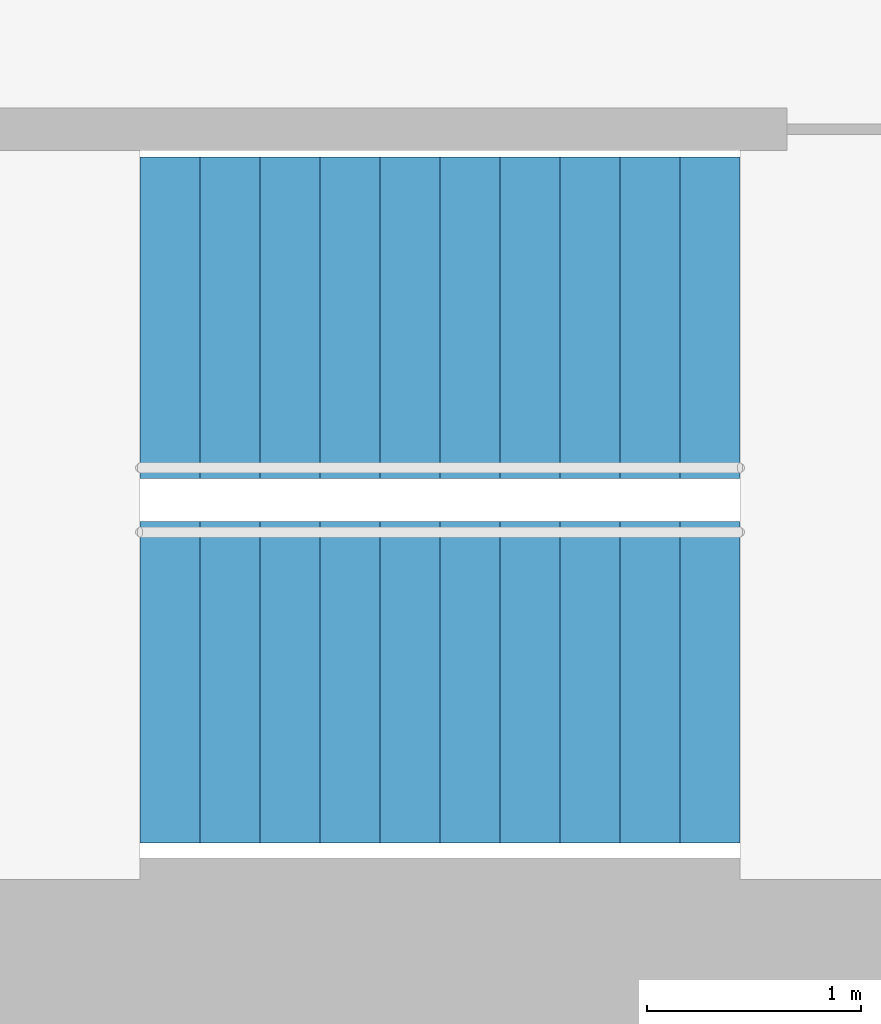
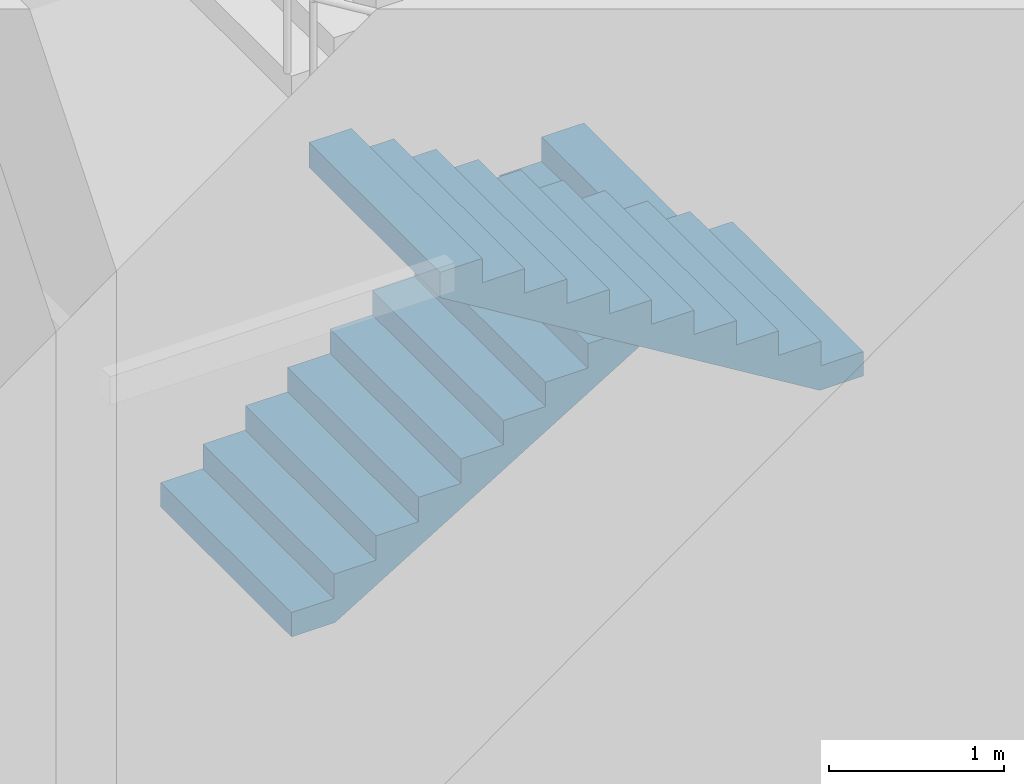
# One storey, part 32 of 73: 2 stair flights, 1 element without a shape of its own.
"""IFC4 building model written with IfcOpenShell, lengths in metres."""

from ifc_helpers import new_model, si_unit, direction, frame, origin, place, context, subcontext, project, spatial, triangles, material, type_object, element, aggregate, save


model = new_model("IFC4")

# Units and contexts
model_context = context("Model", 3, precision=1e-05, world=origin(), true_north=direction((0.0, 1.0)))
body_context = subcontext(model_context, "Body", "Model", "MODEL_VIEW")
ifc_project = project(units=[si_unit("LENGTHUNIT", "METRE"), si_unit("AREAUNIT", "SQUARE_METRE"), si_unit("VOLUMEUNIT", "CUBIC_METRE"), si_unit("PLANEANGLEUNIT", "RADIAN"), si_unit("MASSUNIT", "GRAM", prefix="KILO")], contexts=[model_context])

# Site, building, storey
site_placement = place(None, origin())
site = spatial("IfcSite", under=ifc_project, at=site_placement, CompositionType="ELEMENT")
building_placement = place(site_placement, origin())
building = spatial("IfcBuilding", under=site, at=building_placement, Name="Lantaw Convention Tower", CompositionType="ELEMENT")
storey_placement = place(building_placement, frame((0.0, 0.0, 14.5)))
storey = spatial("IfcBuildingStorey", under=building, at=storey_placement, Name="L02", CompositionType="ELEMENT", Elevation=14.5)

# Stair, stair flights
ifc_material = material(Name="Concrete C35/45", Category="concrete")
stair_type = type_object("IfcStairType", Name="Exit stair 1500 riser 170.45 in 4 flights", PredefinedType="HALF_TURN_STAIR", material=ifc_material)
stair_placement = place(storey_placement, origin())
stair = element("IfcStair", 1, at=stair_placement, inside=storey, type_object=stair_type, Name="Exit stair S2 L02", PredefinedType="HALF_TURN_STAIR")
stair_flight_type = type_object("IfcStairFlightType", Name="Stair flight 1500 riser 170.45", PredefinedType="STRAIGHT", material=ifc_material)
stair_flight_1_placement = place(storey_placement, frame((7.780029296875, -4.280029296875, 1.875), z_axis=(0.0, 0.0, 1.0), x_axis=(1.0, 0.0, 0.0)))
stair_flight_1 = element("IfcStairFlight", 2, at=stair_flight_1_placement, type_object=stair_flight_type, Name="S2 flight 2", NumberOfRisers=11, NumberOfTreads=10, PredefinedType="STRAIGHT", RiserHeight=0.170454545, TreadLength=0.28, context=body_context, shape_type="Tessellation", body=[
    triangles([(0.0, 0.75, 0.0), (0.0, 0.75, 0.170454545), (0.28, 0.75, 0.0), (0.28, 0.75, 0.170454545), (0.28, 0.75, 0.34090909), (0.28827876332691904, 0.75, 0.0), (0.28827876332691904, 0.75, 0.34090909), (0.56, 0.75, 0.16541471344266906), (0.56, 0.75, 0.34090909), (0.56, 0.75, 0.511363635), (0.8400000000000001, 0.75, 0.335869258442669), (0.8400000000000001, 0.75, 0.511363635), (0.8400000000000001, 0.75, 0.68181818), (1.12, 0.75, 0.506323803442669), (1.12, 0.75, 0.68181818), (1.12, 0.75, 0.8522727250000001), (1.4000000000000001, 0.75, 0.676778348442669), (1.4000000000000001, 0.75, 0.8522727250000001), (1.4000000000000001, 0.75, 1.02272727), (1.6800000000000002, 0.75, 0.847232893442669), (1.6800000000000002, 0.75, 1.02272727), (1.6800000000000002, 0.75, 1.193181815), (1.9600000000000002, 0.75, 1.017687438442669), (1.9600000000000002, 0.75, 1.193181815), (1.9600000000000002, 0.75, 1.36363636), (2.24, 0.75, 1.188141983442669), (2.24, 0.75, 1.36363636), (2.24, 0.75, 1.5340909050000002), (2.5200000000000005, 0.75, 1.358596528442669), (2.5200000000000005, 0.75, 1.5340909050000002), (2.5200000000000005, 0.75, 1.7045454500000001), (2.8000000000000003, 0.75, 1.529051073442669), (2.8000000000000003, 0.75, 1.7045454500000001), (0.0, -0.75, 0.0), (0.0, -0.75, 0.170454545), (0.28, -0.75, 0.0), (0.28, -0.75, 0.170454545), (0.28, -0.75, 0.34090909), (0.28827876332691904, -0.75, 0.0), (0.28827876332691904, -0.75, 0.34090909), (0.56, -0.75, 0.16541471344266906), (0.56, -0.75, 0.34090909), (0.56, -0.75, 0.511363635), (0.8400000000000001, -0.75, 0.335869258442669), (0.8400000000000001, -0.75, 0.511363635), (0.8400000000000001, -0.75, 0.68181818), (1.12, -0.75, 0.506323803442669), (1.12, -0.75, 0.68181818), (1.12, -0.75, 0.8522727250000001), (1.4000000000000001, -0.75, 0.676778348442669), (1.4000000000000001, -0.75, 0.8522727250000001), (1.4000000000000001, -0.75, 1.02272727), (1.6800000000000002, -0.75, 0.847232893442669), (1.6800000000000002, -0.75, 1.02272727), (1.6800000000000002, -0.75, 1.193181815), (1.9600000000000002, -0.75, 1.017687438442669), (1.9600000000000002, -0.75, 1.193181815), (1.9600000000000002, -0.75, 1.36363636), (2.24, -0.75, 1.188141983442669), (2.24, -0.75, 1.36363636), (2.24, -0.75, 1.5340909050000002), (2.5200000000000005, -0.75, 1.358596528442669), (2.5200000000000005, -0.75, 1.5340909050000002), (2.5200000000000005, -0.75, 1.7045454500000001), (2.8000000000000003, -0.75, 1.529051073442669), (2.8000000000000003, -0.75, 1.7045454500000001), (0.0, 0.15000000000000002, 0.170454545), (0.0, 0.15000000000000002, 0.0), (0.0, 0.0, 0.170454545), (0.0, 0.0, 0.0), (0.0, -0.15000000000000002, 0.170454545), (0.0, -0.15000000000000002, 0.0), (0.28, 0.15000000000000002, 0.34090909), (0.28, 0.15000000000000002, 0.170454545), (0.28, 0.0, 0.34090909), (0.28, 0.0, 0.170454545), (0.28, -0.15000000000000002, 0.34090909), (0.28, -0.15000000000000002, 0.170454545), (0.56, 0.15000000000000002, 0.511363635), (0.56, 0.15000000000000002, 0.34090909), (0.56, 0.0, 0.511363635), (0.56, 0.0, 0.34090909), (0.56, -0.15000000000000002, 0.511363635), (0.56, -0.15000000000000002, 0.34090909), (0.8400000000000001, 0.15000000000000002, 0.68181818), (0.8400000000000001, 0.15000000000000002, 0.511363635), (0.8400000000000001, 0.0, 0.68181818), (0.8400000000000001, 0.0, 0.511363635), (0.8400000000000001, -0.15000000000000002, 0.68181818), (0.8400000000000001, -0.15000000000000002, 0.511363635), (1.12, 0.15000000000000002, 0.8522727250000001), (1.12, 0.15000000000000002, 0.68181818), (1.12, 0.0, 0.8522727250000001), (1.12, 0.0, 0.68181818), (1.12, -0.15000000000000002, 0.8522727250000001), (1.12, -0.15000000000000002, 0.68181818), (1.4000000000000001, 0.15000000000000002, 1.02272727), (1.4000000000000001, 0.15000000000000002, 0.8522727250000001), (1.4000000000000001, 0.0, 1.02272727), (1.4000000000000001, 0.0, 0.8522727250000001), (1.4000000000000001, -0.15000000000000002, 1.02272727), (1.4000000000000001, -0.15000000000000002, 0.8522727250000001), (1.6800000000000002, 0.15000000000000002, 1.193181815), (1.6800000000000002, 0.15000000000000002, 1.02272727), (1.6800000000000002, 0.0, 1.193181815), (1.6800000000000002, 0.0, 1.02272727), (1.6800000000000002, -0.15000000000000002, 1.193181815), (1.6800000000000002, -0.15000000000000002, 1.02272727), (1.9600000000000002, 0.15000000000000002, 1.36363636), (1.9600000000000002, 0.15000000000000002, 1.193181815), (1.9600000000000002, 0.0, 1.36363636), (1.9600000000000002, 0.0, 1.193181815), (1.9600000000000002, -0.15000000000000002, 1.36363636), (1.9600000000000002, -0.15000000000000002, 1.193181815), (2.24, 0.15000000000000002, 1.5340909050000002), (2.24, 0.15000000000000002, 1.36363636), (2.24, 0.0, 1.5340909050000002), (2.24, 0.0, 1.36363636), (2.24, -0.15000000000000002, 1.5340909050000002), (2.24, -0.15000000000000002, 1.36363636), (2.5200000000000005, 0.15000000000000002, 1.7045454500000001), (2.5200000000000005, 0.15000000000000002, 1.5340909050000002), (2.5200000000000005, 0.0, 1.7045454500000001), (2.5200000000000005, 0.0, 1.5340909050000002), (2.5200000000000005, -0.15000000000000002, 1.7045454500000001), (2.5200000000000005, -0.15000000000000002, 1.5340909050000002), (0.28827876332691904, 0.15000000000000002, 0.34090909), (0.28827876332691904, 0.0, 0.34090909), (0.28827876332691904, -0.15000000000000002, 0.34090909), (2.8000000000000003, 0.15000000000000002, 1.7045454500000001), (2.8000000000000003, 0.0, 1.7045454500000001), (2.8000000000000003, -0.15000000000000002, 1.7045454500000001), (2.8000000000000003, 0.15000000000000002, 1.5290510734426692), (2.8000000000000003, 0.0, 1.5290510734426692), (2.8000000000000003, -0.15000000000000002, 1.5290510734426692), (2.5200000000000005, 0.15000000000000002, 1.358596528442669), (2.5200000000000005, 0.0, 1.358596528442669), (2.5200000000000005, -0.15000000000000002, 1.358596528442669), (2.24, 0.15000000000000002, 1.188141983442669), (2.24, 0.0, 1.188141983442669), (2.24, -0.15000000000000002, 1.188141983442669), (1.9600000000000002, 0.15000000000000002, 1.017687438442669), (1.9600000000000002, 0.0, 1.017687438442669), (1.9600000000000002, -0.15000000000000002, 1.017687438442669), (1.6800000000000002, 0.15000000000000002, 0.847232893442669), (1.6800000000000002, 0.0, 0.847232893442669), (1.6800000000000002, -0.15000000000000002, 0.847232893442669), (1.4000000000000001, 0.15000000000000002, 0.676778348442669), (1.4000000000000001, 0.0, 0.676778348442669), (1.4000000000000001, -0.15000000000000002, 0.676778348442669), (1.12, 0.15000000000000002, 0.506323803442669), (1.12, 0.0, 0.506323803442669), (1.12, -0.15000000000000002, 0.506323803442669), (0.8400000000000001, 0.15000000000000002, 0.335869258442669), (0.8400000000000001, 0.0, 0.335869258442669), (0.8400000000000001, -0.15000000000000002, 0.335869258442669), (0.56, 0.15000000000000002, 0.16541471344266906), (0.56, 0.0, 0.16541471344266906), (0.56, -0.15000000000000002, 0.16541471344266906), (0.28827876332691904, 0.15000000000000002, 0.0), (0.28827876332691904, 0.0, 0.0), (0.28827876332691904, -0.15000000000000002, 0.0), (0.28, 0.15000000000000002, 0.0), (0.28, 0.0, 0.0), (0.28, -0.15000000000000002, 0.0)], [[1, 4, 3], [1, 2, 4], [3, 4, 6], [4, 7, 6], [4, 5, 7], [6, 9, 8], [6, 7, 9], [8, 9, 11], [9, 12, 11], [9, 10, 12], [11, 12, 14], [12, 15, 14], [12, 13, 15], [14, 15, 17], [15, 18, 17], [15, 16, 18], [17, 18, 20], [18, 21, 20], [18, 19, 21], [20, 21, 23], [21, 24, 23], [21, 22, 24], [23, 24, 26], [24, 27, 26], [24, 25, 27], [26, 27, 29], [27, 30, 29], [27, 28, 30], [29, 30, 32], [30, 33, 32], [30, 31, 33], [34, 36, 37], [34, 37, 35], [36, 39, 37], [37, 39, 40], [37, 40, 38], [39, 41, 42], [39, 42, 40], [41, 44, 42], [42, 44, 45], [42, 45, 43], [44, 47, 45], [45, 47, 48], [45, 48, 46], [47, 50, 48], [48, 50, 51], [48, 51, 49], [50, 53, 51], [51, 53, 54], [51, 54, 52], [53, 56, 54], [54, 56, 57], [54, 57, 55], [56, 59, 57], [57, 59, 60], [57, 60, 58], [59, 62, 60], [60, 62, 63], [60, 63, 61], [62, 65, 63], [63, 65, 66], [63, 66, 64], [1, 67, 2], [1, 68, 67], [68, 69, 67], [68, 70, 69], [70, 71, 69], [70, 72, 71], [72, 35, 71], [72, 34, 35], [4, 73, 5], [4, 74, 73], [74, 75, 73], [74, 76, 75], [76, 77, 75], [76, 78, 77], [78, 38, 77], [78, 37, 38], [9, 79, 10], [9, 80, 79], [80, 81, 79], [80, 82, 81], [82, 83, 81], [82, 84, 83], [84, 43, 83], [84, 42, 43], [12, 85, 13], [12, 86, 85], [86, 87, 85], [86, 88, 87], [88, 89, 87], [88, 90, 89], [90, 46, 89], [90, 45, 46], [15, 91, 16], [15, 92, 91], [92, 93, 91], [92, 94, 93], [94, 95, 93], [94, 96, 95], [96, 49, 95], [96, 48, 49], [18, 97, 19], [18, 98, 97], [98, 99, 97], [98, 100, 99], [100, 101, 99], [100, 102, 101], [102, 52, 101], [102, 51, 52], [21, 103, 22], [21, 104, 103], [104, 105, 103], [104, 106, 105], [106, 107, 105], [106, 108, 107], [108, 55, 107], [108, 54, 55], [24, 109, 25], [24, 110, 109], [110, 111, 109], [110, 112, 111], [112, 113, 111], [112, 114, 113], [114, 58, 113], [114, 57, 58], [27, 115, 28], [27, 116, 115], [116, 117, 115], [116, 118, 117], [118, 119, 117], [118, 120, 119], [120, 61, 119], [120, 60, 61], [30, 121, 31], [30, 122, 121], [122, 123, 121], [122, 124, 123], [124, 125, 123], [124, 126, 125], [126, 64, 125], [126, 63, 64], [2, 74, 4], [2, 67, 74], [67, 76, 74], [67, 69, 76], [69, 78, 76], [69, 71, 78], [71, 37, 78], [71, 35, 37], [5, 127, 7], [5, 73, 127], [73, 128, 127], [73, 75, 128], [75, 129, 128], [75, 77, 129], [77, 40, 129], [77, 38, 40], [7, 80, 9], [7, 127, 80], [127, 82, 80], [127, 128, 82], [128, 84, 82], [128, 129, 84], [129, 42, 84], [129, 40, 42], [10, 86, 12], [10, 79, 86], [79, 88, 86], [79, 81, 88], [81, 90, 88], [81, 83, 90], [83, 45, 90], [83, 43, 45], [13, 92, 15], [13, 85, 92], [85, 94, 92], [85, 87, 94], [87, 96, 94], [87, 89, 96], [89, 48, 96], [89, 46, 48], [16, 98, 18], [16, 91, 98], [91, 100, 98], [91, 93, 100], [93, 102, 100], [93, 95, 102], [95, 51, 102], [95, 49, 51], [19, 104, 21], [19, 97, 104], [97, 106, 104], [97, 99, 106], [99, 108, 106], [99, 101, 108], [101, 54, 108], [101, 52, 54], [22, 110, 24], [22, 103, 110], [103, 112, 110], [103, 105, 112], [105, 114, 112], [105, 107, 114], [107, 57, 114], [107, 55, 57], [25, 116, 27], [25, 109, 116], [109, 118, 116], [109, 111, 118], [111, 120, 118], [111, 113, 120], [113, 60, 120], [113, 58, 60], [28, 122, 30], [28, 115, 122], [115, 124, 122], [115, 117, 124], [117, 126, 124], [117, 119, 126], [119, 63, 126], [119, 61, 63], [31, 130, 33], [31, 121, 130], [121, 131, 130], [121, 123, 131], [123, 132, 131], [123, 125, 132], [125, 66, 132], [125, 64, 66], [33, 133, 32], [33, 130, 133], [130, 134, 133], [130, 131, 134], [131, 135, 134], [131, 132, 135], [132, 65, 135], [132, 66, 65], [32, 136, 29], [32, 133, 136], [133, 137, 136], [133, 134, 137], [134, 138, 137], [134, 135, 138], [135, 62, 138], [135, 65, 62], [29, 139, 26], [29, 136, 139], [136, 140, 139], [136, 137, 140], [137, 141, 140], [137, 138, 141], [138, 59, 141], [138, 62, 59], [26, 142, 23], [26, 139, 142], [139, 143, 142], [139, 140, 143], [140, 144, 143], [140, 141, 144], [141, 56, 144], [141, 59, 56], [23, 145, 20], [23, 142, 145], [142, 146, 145], [142, 143, 146], [143, 147, 146], [143, 144, 147], [144, 53, 147], [144, 56, 53], [20, 148, 17], [20, 145, 148], [145, 149, 148], [145, 146, 149], [146, 150, 149], [146, 147, 150], [147, 50, 150], [147, 53, 50], [17, 151, 14], [17, 148, 151], [148, 152, 151], [148, 149, 152], [149, 153, 152], [149, 150, 153], [150, 47, 153], [150, 50, 47], [14, 154, 11], [14, 151, 154], [151, 155, 154], [151, 152, 155], [152, 156, 155], [152, 153, 156], [153, 44, 156], [153, 47, 44], [11, 157, 8], [11, 154, 157], [154, 158, 157], [154, 155, 158], [155, 159, 158], [155, 156, 159], [156, 41, 159], [156, 44, 41], [8, 160, 6], [8, 157, 160], [157, 161, 160], [157, 158, 161], [158, 162, 161], [158, 159, 162], [159, 39, 162], [159, 41, 39], [6, 163, 3], [6, 160, 163], [160, 164, 163], [160, 161, 164], [161, 165, 164], [161, 162, 165], [162, 36, 165], [162, 39, 36], [3, 68, 1], [3, 163, 68], [163, 70, 68], [163, 164, 70], [164, 72, 70], [164, 165, 72], [165, 34, 72], [165, 36, 34]], closed=True),
])
stair_flight_2_placement = place(storey_placement, frame((10.580078125, -5.97998046875, 3.75), z_axis=(0.0, 0.0, 1.0), x_axis=(-1.0, 0.0, 0.0)))
stair_flight_2 = element("IfcStairFlight", 3, at=stair_flight_2_placement, type_object=stair_flight_type, Name="S2 flight 3", NumberOfRisers=11, NumberOfTreads=10, PredefinedType="STRAIGHT", RiserHeight=0.170454545, TreadLength=0.28, context=body_context, shape_type="Tessellation", body=[
    triangles([(0.0, 0.75, 0.0), (0.0, 0.75, 0.170454545), (0.28, 0.75, 0.0), (0.28, 0.75, 0.170454545), (0.28, 0.75, 0.34090909), (0.28827876332691904, 0.75, 0.0), (0.28827876332691904, 0.75, 0.34090909), (0.56, 0.75, 0.16541471344266906), (0.56, 0.75, 0.34090909), (0.56, 0.75, 0.511363635), (0.8400000000000001, 0.75, 0.335869258442669), (0.8400000000000001, 0.75, 0.511363635), (0.8400000000000001, 0.75, 0.68181818), (1.12, 0.75, 0.506323803442669), (1.12, 0.75, 0.68181818), (1.12, 0.75, 0.8522727250000001), (1.4000000000000001, 0.75, 0.676778348442669), (1.4000000000000001, 0.75, 0.8522727250000001), (1.4000000000000001, 0.75, 1.02272727), (1.6800000000000002, 0.75, 0.847232893442669), (1.6800000000000002, 0.75, 1.02272727), (1.6800000000000002, 0.75, 1.193181815), (1.9600000000000002, 0.75, 1.017687438442669), (1.9600000000000002, 0.75, 1.193181815), (1.9600000000000002, 0.75, 1.36363636), (2.24, 0.75, 1.188141983442669), (2.24, 0.75, 1.36363636), (2.24, 0.75, 1.5340909050000002), (2.5200000000000005, 0.75, 1.358596528442669), (2.5200000000000005, 0.75, 1.5340909050000002), (2.5200000000000005, 0.75, 1.7045454500000001), (2.8000000000000003, 0.75, 1.529051073442669), (2.8000000000000003, 0.75, 1.7045454500000001), (0.0, -0.75, 0.0), (0.0, -0.75, 0.170454545), (0.28, -0.75, 0.0), (0.28, -0.75, 0.170454545), (0.28, -0.75, 0.34090909), (0.28827876332691904, -0.75, 0.0), (0.28827876332691904, -0.75, 0.34090909), (0.56, -0.75, 0.16541471344266906), (0.56, -0.75, 0.34090909), (0.56, -0.75, 0.511363635), (0.8400000000000001, -0.75, 0.335869258442669), (0.8400000000000001, -0.75, 0.511363635), (0.8400000000000001, -0.75, 0.68181818), (1.12, -0.75, 0.506323803442669), (1.12, -0.75, 0.68181818), (1.12, -0.75, 0.8522727250000001), (1.4000000000000001, -0.75, 0.676778348442669), (1.4000000000000001, -0.75, 0.8522727250000001), (1.4000000000000001, -0.75, 1.02272727), (1.6800000000000002, -0.75, 0.847232893442669), (1.6800000000000002, -0.75, 1.02272727), (1.6800000000000002, -0.75, 1.193181815), (1.9600000000000002, -0.75, 1.017687438442669), (1.9600000000000002, -0.75, 1.193181815), (1.9600000000000002, -0.75, 1.36363636), (2.24, -0.75, 1.188141983442669), (2.24, -0.75, 1.36363636), (2.24, -0.75, 1.5340909050000002), (2.5200000000000005, -0.75, 1.358596528442669), (2.5200000000000005, -0.75, 1.5340909050000002), (2.5200000000000005, -0.75, 1.7045454500000001), (2.8000000000000003, -0.75, 1.529051073442669), (2.8000000000000003, -0.75, 1.7045454500000001), (0.0, 0.15000000000000002, 0.170454545), (0.0, 0.15000000000000002, 0.0), (0.0, 0.0, 0.170454545), (0.0, 0.0, 0.0), (0.0, -0.15000000000000002, 0.170454545), (0.0, -0.15000000000000002, 0.0), (0.28, 0.15000000000000002, 0.34090909), (0.28, 0.15000000000000002, 0.170454545), (0.28, 0.0, 0.34090909), (0.28, 0.0, 0.170454545), (0.28, -0.15000000000000002, 0.34090909), (0.28, -0.15000000000000002, 0.170454545), (0.56, 0.15000000000000002, 0.511363635), (0.56, 0.15000000000000002, 0.34090909), (0.56, 0.0, 0.511363635), (0.56, 0.0, 0.34090909), (0.56, -0.15000000000000002, 0.511363635), (0.56, -0.15000000000000002, 0.34090909), (0.8400000000000001, 0.15000000000000002, 0.68181818), (0.8400000000000001, 0.15000000000000002, 0.511363635), (0.8400000000000001, 0.0, 0.68181818), (0.8400000000000001, 0.0, 0.511363635), (0.8400000000000001, -0.15000000000000002, 0.68181818), (0.8400000000000001, -0.15000000000000002, 0.511363635), (1.12, 0.15000000000000002, 0.8522727250000001), (1.12, 0.15000000000000002, 0.68181818), (1.12, 0.0, 0.8522727250000001), (1.12, 0.0, 0.68181818), (1.12, -0.15000000000000002, 0.8522727250000001), (1.12, -0.15000000000000002, 0.68181818), (1.4000000000000001, 0.15000000000000002, 1.02272727), (1.4000000000000001, 0.15000000000000002, 0.8522727250000001), (1.4000000000000001, 0.0, 1.02272727), (1.4000000000000001, 0.0, 0.8522727250000001), (1.4000000000000001, -0.15000000000000002, 1.02272727), (1.4000000000000001, -0.15000000000000002, 0.8522727250000001), (1.6800000000000002, 0.15000000000000002, 1.193181815), (1.6800000000000002, 0.15000000000000002, 1.02272727), (1.6800000000000002, 0.0, 1.193181815), (1.6800000000000002, 0.0, 1.02272727), (1.6800000000000002, -0.15000000000000002, 1.193181815), (1.6800000000000002, -0.15000000000000002, 1.02272727), (1.9600000000000002, 0.15000000000000002, 1.36363636), (1.9600000000000002, 0.15000000000000002, 1.193181815), (1.9600000000000002, 0.0, 1.36363636), (1.9600000000000002, 0.0, 1.193181815), (1.9600000000000002, -0.15000000000000002, 1.36363636), (1.9600000000000002, -0.15000000000000002, 1.193181815), (2.24, 0.15000000000000002, 1.5340909050000002), (2.24, 0.15000000000000002, 1.36363636), (2.24, 0.0, 1.5340909050000002), (2.24, 0.0, 1.36363636), (2.24, -0.15000000000000002, 1.5340909050000002), (2.24, -0.15000000000000002, 1.36363636), (2.5200000000000005, 0.15000000000000002, 1.7045454500000001), (2.5200000000000005, 0.15000000000000002, 1.5340909050000002), (2.5200000000000005, 0.0, 1.7045454500000001), (2.5200000000000005, 0.0, 1.5340909050000002), (2.5200000000000005, -0.15000000000000002, 1.7045454500000001), (2.5200000000000005, -0.15000000000000002, 1.5340909050000002), (0.28827876332691904, 0.15000000000000002, 0.34090909), (0.28827876332691904, 0.0, 0.34090909), (0.28827876332691904, -0.15000000000000002, 0.34090909), (2.8000000000000003, 0.15000000000000002, 1.7045454500000001), (2.8000000000000003, 0.0, 1.7045454500000001), (2.8000000000000003, -0.15000000000000002, 1.7045454500000001), (2.8000000000000003, 0.15000000000000002, 1.5290510734426692), (2.8000000000000003, 0.0, 1.5290510734426692), (2.8000000000000003, -0.15000000000000002, 1.5290510734426692), (2.5200000000000005, 0.15000000000000002, 1.358596528442669), (2.5200000000000005, 0.0, 1.358596528442669), (2.5200000000000005, -0.15000000000000002, 1.358596528442669), (2.24, 0.15000000000000002, 1.188141983442669), (2.24, 0.0, 1.188141983442669), (2.24, -0.15000000000000002, 1.188141983442669), (1.9600000000000002, 0.15000000000000002, 1.017687438442669), (1.9600000000000002, 0.0, 1.017687438442669), (1.9600000000000002, -0.15000000000000002, 1.017687438442669), (1.6800000000000002, 0.15000000000000002, 0.847232893442669), (1.6800000000000002, 0.0, 0.847232893442669), (1.6800000000000002, -0.15000000000000002, 0.847232893442669), (1.4000000000000001, 0.15000000000000002, 0.676778348442669), (1.4000000000000001, 0.0, 0.676778348442669), (1.4000000000000001, -0.15000000000000002, 0.676778348442669), (1.12, 0.15000000000000002, 0.506323803442669), (1.12, 0.0, 0.506323803442669), (1.12, -0.15000000000000002, 0.506323803442669), (0.8400000000000001, 0.15000000000000002, 0.335869258442669), (0.8400000000000001, 0.0, 0.335869258442669), (0.8400000000000001, -0.15000000000000002, 0.335869258442669), (0.56, 0.15000000000000002, 0.16541471344266906), (0.56, 0.0, 0.16541471344266906), (0.56, -0.15000000000000002, 0.16541471344266906), (0.28827876332691904, 0.15000000000000002, 0.0), (0.28827876332691904, 0.0, 0.0), (0.28827876332691904, -0.15000000000000002, 0.0), (0.28, 0.15000000000000002, 0.0), (0.28, 0.0, 0.0), (0.28, -0.15000000000000002, 0.0)], [[1, 4, 3], [1, 2, 4], [3, 4, 6], [4, 7, 6], [4, 5, 7], [6, 9, 8], [6, 7, 9], [8, 9, 11], [9, 12, 11], [9, 10, 12], [11, 12, 14], [12, 15, 14], [12, 13, 15], [14, 15, 17], [15, 18, 17], [15, 16, 18], [17, 18, 20], [18, 21, 20], [18, 19, 21], [20, 21, 23], [21, 24, 23], [21, 22, 24], [23, 24, 26], [24, 27, 26], [24, 25, 27], [26, 27, 29], [27, 30, 29], [27, 28, 30], [29, 30, 32], [30, 33, 32], [30, 31, 33], [34, 36, 37], [34, 37, 35], [36, 39, 37], [37, 39, 40], [37, 40, 38], [39, 41, 42], [39, 42, 40], [41, 44, 42], [42, 44, 45], [42, 45, 43], [44, 47, 45], [45, 47, 48], [45, 48, 46], [47, 50, 48], [48, 50, 51], [48, 51, 49], [50, 53, 51], [51, 53, 54], [51, 54, 52], [53, 56, 54], [54, 56, 57], [54, 57, 55], [56, 59, 57], [57, 59, 60], [57, 60, 58], [59, 62, 60], [60, 62, 63], [60, 63, 61], [62, 65, 63], [63, 65, 66], [63, 66, 64], [1, 67, 2], [1, 68, 67], [68, 69, 67], [68, 70, 69], [70, 71, 69], [70, 72, 71], [72, 35, 71], [72, 34, 35], [4, 73, 5], [4, 74, 73], [74, 75, 73], [74, 76, 75], [76, 77, 75], [76, 78, 77], [78, 38, 77], [78, 37, 38], [9, 79, 10], [9, 80, 79], [80, 81, 79], [80, 82, 81], [82, 83, 81], [82, 84, 83], [84, 43, 83], [84, 42, 43], [12, 85, 13], [12, 86, 85], [86, 87, 85], [86, 88, 87], [88, 89, 87], [88, 90, 89], [90, 46, 89], [90, 45, 46], [15, 91, 16], [15, 92, 91], [92, 93, 91], [92, 94, 93], [94, 95, 93], [94, 96, 95], [96, 49, 95], [96, 48, 49], [18, 97, 19], [18, 98, 97], [98, 99, 97], [98, 100, 99], [100, 101, 99], [100, 102, 101], [102, 52, 101], [102, 51, 52], [21, 103, 22], [21, 104, 103], [104, 105, 103], [104, 106, 105], [106, 107, 105], [106, 108, 107], [108, 55, 107], [108, 54, 55], [24, 109, 25], [24, 110, 109], [110, 111, 109], [110, 112, 111], [112, 113, 111], [112, 114, 113], [114, 58, 113], [114, 57, 58], [27, 115, 28], [27, 116, 115], [116, 117, 115], [116, 118, 117], [118, 119, 117], [118, 120, 119], [120, 61, 119], [120, 60, 61], [30, 121, 31], [30, 122, 121], [122, 123, 121], [122, 124, 123], [124, 125, 123], [124, 126, 125], [126, 64, 125], [126, 63, 64], [2, 74, 4], [2, 67, 74], [67, 76, 74], [67, 69, 76], [69, 78, 76], [69, 71, 78], [71, 37, 78], [71, 35, 37], [5, 127, 7], [5, 73, 127], [73, 128, 127], [73, 75, 128], [75, 129, 128], [75, 77, 129], [77, 40, 129], [77, 38, 40], [7, 80, 9], [7, 127, 80], [127, 82, 80], [127, 128, 82], [128, 84, 82], [128, 129, 84], [129, 42, 84], [129, 40, 42], [10, 86, 12], [10, 79, 86], [79, 88, 86], [79, 81, 88], [81, 90, 88], [81, 83, 90], [83, 45, 90], [83, 43, 45], [13, 92, 15], [13, 85, 92], [85, 94, 92], [85, 87, 94], [87, 96, 94], [87, 89, 96], [89, 48, 96], [89, 46, 48], [16, 98, 18], [16, 91, 98], [91, 100, 98], [91, 93, 100], [93, 102, 100], [93, 95, 102], [95, 51, 102], [95, 49, 51], [19, 104, 21], [19, 97, 104], [97, 106, 104], [97, 99, 106], [99, 108, 106], [99, 101, 108], [101, 54, 108], [101, 52, 54], [22, 110, 24], [22, 103, 110], [103, 112, 110], [103, 105, 112], [105, 114, 112], [105, 107, 114], [107, 57, 114], [107, 55, 57], [25, 116, 27], [25, 109, 116], [109, 118, 116], [109, 111, 118], [111, 120, 118], [111, 113, 120], [113, 60, 120], [113, 58, 60], [28, 122, 30], [28, 115, 122], [115, 124, 122], [115, 117, 124], [117, 126, 124], [117, 119, 126], [119, 63, 126], [119, 61, 63], [31, 130, 33], [31, 121, 130], [121, 131, 130], [121, 123, 131], [123, 132, 131], [123, 125, 132], [125, 66, 132], [125, 64, 66], [33, 133, 32], [33, 130, 133], [130, 134, 133], [130, 131, 134], [131, 135, 134], [131, 132, 135], [132, 65, 135], [132, 66, 65], [32, 136, 29], [32, 133, 136], [133, 137, 136], [133, 134, 137], [134, 138, 137], [134, 135, 138], [135, 62, 138], [135, 65, 62], [29, 139, 26], [29, 136, 139], [136, 140, 139], [136, 137, 140], [137, 141, 140], [137, 138, 141], [138, 59, 141], [138, 62, 59], [26, 142, 23], [26, 139, 142], [139, 143, 142], [139, 140, 143], [140, 144, 143], [140, 141, 144], [141, 56, 144], [141, 59, 56], [23, 145, 20], [23, 142, 145], [142, 146, 145], [142, 143, 146], [143, 147, 146], [143, 144, 147], [144, 53, 147], [144, 56, 53], [20, 148, 17], [20, 145, 148], [145, 149, 148], [145, 146, 149], [146, 150, 149], [146, 147, 150], [147, 50, 150], [147, 53, 50], [17, 151, 14], [17, 148, 151], [148, 152, 151], [148, 149, 152], [149, 153, 152], [149, 150, 153], [150, 47, 153], [150, 50, 47], [14, 154, 11], [14, 151, 154], [151, 155, 154], [151, 152, 155], [152, 156, 155], [152, 153, 156], [153, 44, 156], [153, 47, 44], [11, 157, 8], [11, 154, 157], [154, 158, 157], [154, 155, 158], [155, 159, 158], [155, 156, 159], [156, 41, 159], [156, 44, 41], [8, 160, 6], [8, 157, 160], [157, 161, 160], [157, 158, 161], [158, 162, 161], [158, 159, 162], [159, 39, 162], [159, 41, 39], [6, 163, 3], [6, 160, 163], [160, 164, 163], [160, 161, 164], [161, 165, 164], [161, 162, 165], [162, 36, 165], [162, 39, 36], [3, 68, 1], [3, 163, 68], [163, 70, 68], [163, 164, 70], [164, 72, 70], [164, 165, 72], [165, 34, 72], [165, 36, 34]], closed=True),
])
aggregate(stair, [stair_flight_1, stair_flight_2])

save(model, "model.ifc")
